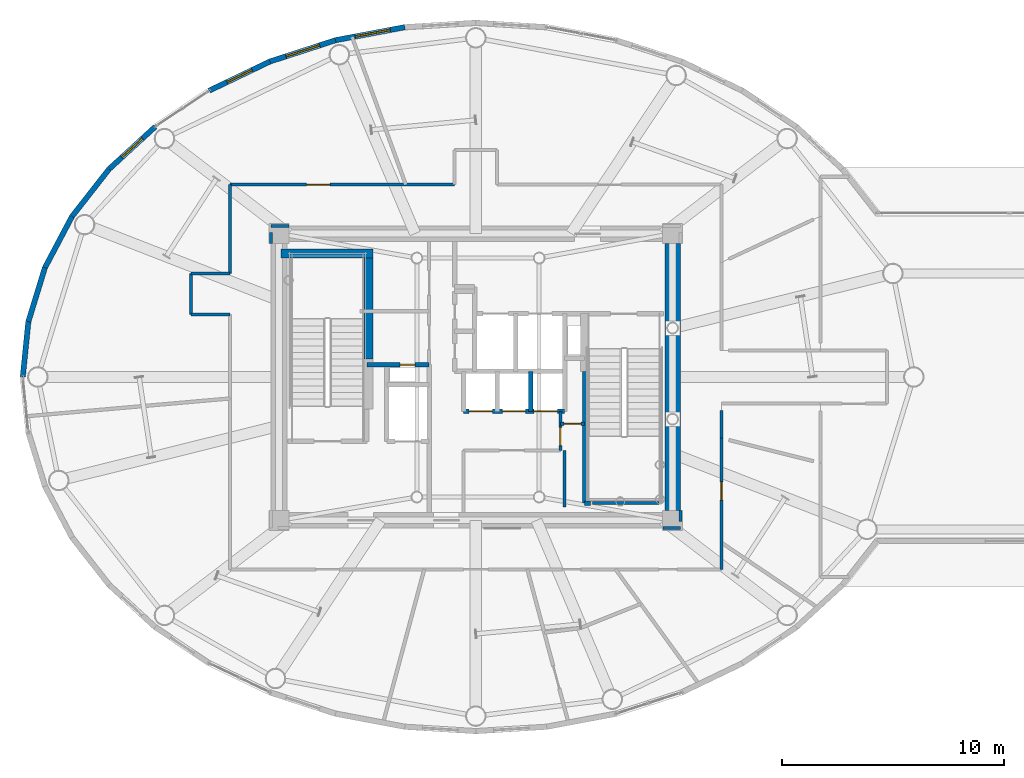
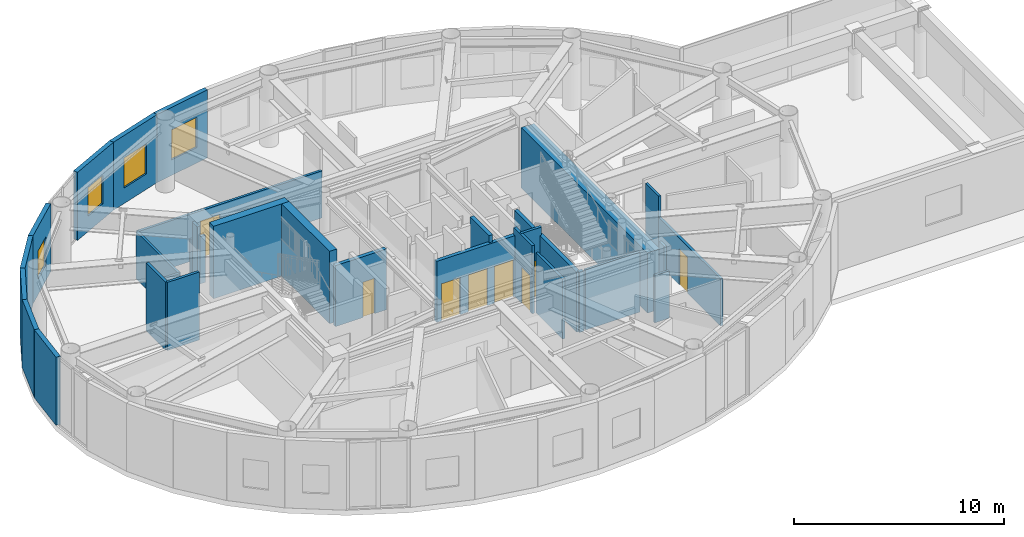
# One storey, part 17 of 26: 31 walls, 8 doors, 4 windows, 12 openings.
"""IFC4 building model written with IfcOpenShell, lengths in metres."""

from ifc_helpers import new_model, si_unit, direction, frame, frame_2d, origin, origin_2d, place, context, subcontext, project, spatial, rectangle, extrude, source, transform, mapped, material, layer, layer_set, type_object, element, fill, save


model = new_model("IFC4")

# Units and contexts
model_context = context("Model", 3, precision=1e-05, world=origin(), true_north=direction((0.0, 1.0)))
body_context = subcontext(model_context, "Body", "Model", "MODEL_VIEW")
ifc_project = project(units=[si_unit("LENGTHUNIT", "METRE"), si_unit("AREAUNIT", "SQUARE_METRE"), si_unit("VOLUMEUNIT", "CUBIC_METRE"), si_unit("PLANEANGLEUNIT", "RADIAN"), si_unit("MASSUNIT", "GRAM", prefix="KILO")], contexts=[model_context])

# Site, building, storey
site_placement = place(None, origin())
site = spatial("IfcSite", under=ifc_project, at=site_placement, CompositionType="ELEMENT")
building_placement = place(site_placement, origin())
building = spatial("IfcBuilding", under=site, at=building_placement, Name="Linh Dai School and Residence Tower", CompositionType="ELEMENT")
storey_placement = place(building_placement, frame((0.0, 0.0, 351.0)))
storey = spatial("IfcBuildingStorey", under=building, at=storey_placement, Name="L87", CompositionType="ELEMENT", Elevation=351.0)

# Wall, opening, window
ifc_material_1 = material(Name="Precast Concrete B45 (C35/45)", Category="concrete")
ifc_layer_1 = layer(ifc_material_1, 0.239990234375)
ifc_layer_set_1 = layer_set([ifc_layer_1], Name="Precast Concrete B45 (C35/45)")
wall_type_1 = type_object("IfcWallType", Name="EW-TC-240", PredefinedType="SOLIDWALL", material=ifc_layer_set_1)
wall_1_placement = place(storey_placement, frame((29.696044921875, 42.14794921875, 0.0), z_axis=(0.0, 0.0, 1.0), x_axis=(0.98276643264, 0.184851667226, 0.0)))
wall_1 = element("IfcWall", 1, at=wall_1_placement, inside=storey, type_object=wall_type_1, Name="L87 Terracotta Exterior Wall 12", PredefinedType="SOLIDWALL", context=body_context, shape_type="SweptSolid", body=[
    extrude(rectangle(XDim=3.167236328125, YDim=0.239990234375, at=frame_2d((1.58349609375, 0.0))), origin(), (0.0, 0.0, 1.0), 3.949951171875),
])
opening_1_placement = place(wall_1_placement, frame((0.904296875, 0.0, 0.89990234375)))
opening_1 = element("IfcOpeningElement", 2, at=opening_1_placement, cuts=wall_1, Name="Opening W2", PredefinedType="OPENING", context=body_context, shape_type="SweptSolid", body=[
    extrude(rectangle(XDim=1.60009765625, YDim=1.75, at=origin_2d()), frame((0.800048828125, 0.1298828125, 0.875), z_axis=(0.0, -1.0, 0.0), x_axis=(1.0, 0.0, 0.0)), (0.0, 0.0, 1.0), 0.260009765625),
])
ifc_material_2 = material(Name="Double Low-E Insulated Glazing", Category="glass")
window_type_1 = type_object("IfcWindowType", Name="WN-RES-1600x1750", PartitioningType="DOUBLE_PANEL_VERTICAL", PredefinedType="WINDOW", material=ifc_material_2)
shared_shape_1 = source(origin(), body_context, "Body", "SweptSolid", [
    extrude(rectangle(XDim=1.60009765625, YDim=1.75, at=origin_2d()), frame((0.800048828125, 0.030029296875, 0.875), z_axis=(0.0, -1.0, 0.0), x_axis=(1.0, 0.0, 0.0)), (0.0, 0.0, 1.0), 0.06005859375),
])
window_1_placement = place(opening_1_placement, origin())
window_1 = element("IfcWindow", 3, at=window_1_placement, inside=storey, type_object=window_type_1, Name="L87 Exterior Window 12.1", OverallHeight=1.75, OverallWidth=1.60009765625, PartitioningType="DOUBLE_PANEL_VERTICAL", PredefinedType="WINDOW", context=body_context, shape_type="MappedRepresentation", body=[
    mapped(shared_shape_1, transform((0.0, 0.0, 0.0), x_axis=(1.0, 0.0, 0.0), y_axis=(0.0, 1.0, 0.0), z_axis=(0.0, 0.0, 1.0), scale=1.0)),
])
fill(opening_1, window_1)

wall_2_placement = place(storey_placement, frame((26.739501953125, 41.18896484375, 0.0), z_axis=(0.0, 0.0, 1.0), x_axis=(0.951212850731, 0.308535431682, 0.0)))
wall_2 = element("IfcWall", 4, at=wall_2_placement, inside=storey, type_object=wall_type_1, Name="L87 Terracotta Exterior Wall 13", PredefinedType="SOLIDWALL", context=body_context, shape_type="SweptSolid", body=[
    extrude(rectangle(XDim=3.108154296875, YDim=0.239990234375, at=frame_2d((1.55419921875, 0.0))), origin(), (0.0, 0.0, 1.0), 3.949951171875),
])
opening_2_placement = place(wall_2_placement, frame((0.754150390625, 0.0, 0.89990234375)))
opening_2 = element("IfcOpeningElement", 5, at=opening_2_placement, cuts=wall_2, Name="Opening W2", PredefinedType="OPENING", context=body_context, shape_type="SweptSolid", body=[
    extrude(rectangle(XDim=1.60009765625, YDim=1.75, at=origin_2d()), frame((0.800048828125, 0.1298828125, 0.875), z_axis=(0.0, -1.0, 0.0), x_axis=(1.0, 0.0, 0.0)), (0.0, 0.0, 1.0), 0.260009765625),
])
window_2_placement = place(opening_2_placement, origin())
window_2 = element("IfcWindow", 6, at=window_2_placement, inside=storey, type_object=window_type_1, Name="L87 Exterior Window 13.1", OverallHeight=1.75, OverallWidth=1.60009765625, PartitioningType="DOUBLE_PANEL_VERTICAL", PredefinedType="WINDOW", context=body_context, shape_type="MappedRepresentation", body=[
    mapped(shared_shape_1, transform((0.0, 0.0, 0.0), x_axis=(1.0, 0.0, 0.0), y_axis=(0.0, 1.0, 0.0), z_axis=(0.0, 0.0, 1.0), scale=1.0)),
])
fill(opening_2, window_2)

wall_3_placement = place(storey_placement, frame((24.01220703125, 39.880126953125, 0.0), z_axis=(0.0, 0.0, 1.0), x_axis=(0.901557057889, 0.432660226241, 0.0)))
wall_3 = element("IfcWall", 7, at=wall_3_placement, inside=storey, type_object=wall_type_1, Name="L87 Terracotta Exterior Wall 14", PredefinedType="SOLIDWALL", context=body_context, shape_type="SweptSolid", body=[
    extrude(rectangle(XDim=3.025146484375, YDim=0.239990234375, at=frame_2d((1.5126953125, 0.0))), origin(), (0.0, 0.0, 1.0), 3.949951171875),
])
opening_3_placement = place(wall_3_placement, frame((0.8876953125, 0.0, 0.89990234375)))
opening_3 = element("IfcOpeningElement", 8, at=opening_3_placement, cuts=wall_3, Name="Opening W3", PredefinedType="OPENING", context=body_context, shape_type="SweptSolid", body=[
    extrude(rectangle(XDim=1.25, YDim=1.64990234375, at=origin_2d()), frame((0.625, 0.1298828125, 0.824951171875), z_axis=(0.0, -1.0, 0.0), x_axis=(1.0, 0.0, 0.0)), (0.0, 0.0, 1.0), 0.260009765625),
])
window_type_2 = type_object("IfcWindowType", Name="WN-RES-1250x1650", PartitioningType="SINGLE_PANEL", PredefinedType="WINDOW", material=ifc_material_2)
shared_shape_2 = source(origin(), body_context, "Body", "SweptSolid", [
    extrude(rectangle(XDim=1.25, YDim=1.64990234375, at=origin_2d()), frame((0.625, 0.030029296875, 0.824951171875), z_axis=(0.0, -1.0, 0.0), x_axis=(1.0, 0.0, 0.0)), (0.0, 0.0, 1.0), 0.06005859375),
])
window_3_placement = place(opening_3_placement, origin())
window_3 = element("IfcWindow", 9, at=window_3_placement, inside=storey, type_object=window_type_2, Name="L87 Exterior Window 14.1", OverallHeight=1.64990234375, OverallWidth=1.25, PartitioningType="SINGLE_PANEL", PredefinedType="WINDOW", context=body_context, shape_type="MappedRepresentation", body=[
    mapped(shared_shape_2, transform((0.0, 0.0, 0.0), x_axis=(1.0, 0.0, 0.0), y_axis=(0.0, 1.0, 0.0), z_axis=(0.0, 0.0, 1.0), scale=1.0)),
])
fill(opening_3, window_3)

wall_4_placement = place(storey_placement, frame((19.5068359375, 36.351806640625, 0.0), z_axis=(0.0, 0.0, 1.0), x_axis=(0.737020907932, 0.675869944051, 0.0)))
wall_4 = element("IfcWall", 10, at=wall_4_placement, inside=storey, type_object=wall_type_1, Name="L87 Terracotta Exterior Wall 16", PredefinedType="SOLIDWALL", context=body_context, shape_type="SweptSolid", body=[
    extrude(rectangle(XDim=2.814697265625, YDim=0.239990234375, at=frame_2d((1.4072265625, 0.0))), origin(), (0.0, 0.0, 1.0), 3.949951171875),
])
opening_4_placement = place(wall_4_placement, frame((0.78271484375, 0.0, 0.89990234375)))
opening_4 = element("IfcOpeningElement", 11, at=opening_4_placement, cuts=wall_4, Name="Opening W3", PredefinedType="OPENING", context=body_context, shape_type="SweptSolid", body=[
    extrude(rectangle(XDim=1.25, YDim=1.64990234375, at=origin_2d()), frame((0.625, 0.1298828125, 0.824951171875), z_axis=(0.0, -1.0, 0.0), x_axis=(1.0, 0.0, 0.0)), (0.0, 0.0, 1.0), 0.260009765625),
])
window_4_placement = place(opening_4_placement, origin())
window_4 = element("IfcWindow", 12, at=window_4_placement, inside=storey, type_object=window_type_2, Name="L87 Exterior Window 16.1", OverallHeight=1.64990234375, OverallWidth=1.25, PartitioningType="SINGLE_PANEL", PredefinedType="WINDOW", context=body_context, shape_type="MappedRepresentation", body=[
    mapped(shared_shape_2, transform((0.0, 0.0, 0.0), x_axis=(1.0, 0.0, 0.0), y_axis=(0.0, 1.0, 0.0), z_axis=(0.0, 0.0, 1.0), scale=1.0)),
])
fill(opening_4, window_4)

# Walls
wall_5_placement = place(storey_placement, frame((17.839111328125, 34.220703125, 0.0), z_axis=(0.0, 0.0, 1.0), x_axis=(0.616286367698, 0.78752213492, 0.0)))
element("IfcWall", 13, at=wall_5_placement, inside=storey, type_object=wall_type_1, Name="L87 Terracotta Exterior Wall 17", PredefinedType="SOLIDWALL", context=body_context, shape_type="SweptSolid", body=[
    extrude(rectangle(XDim=2.7060546875, YDim=0.239990234375, at=frame_2d((1.35302734375, 0.0))), origin(), (0.0, 0.0, 1.0), 3.949951171875),
])
wall_6_placement = place(storey_placement, frame((16.618896484375, 31.913330078125, 0.0), z_axis=(0.0, 0.0, 1.0), x_axis=(0.467487999989, 0.883999417345, 0.0)))
element("IfcWall", 14, at=wall_6_placement, inside=storey, type_object=wall_type_1, Name="L87 Terracotta Exterior Wall 18", PredefinedType="SOLIDWALL", context=body_context, shape_type="SweptSolid", body=[
    extrude(rectangle(XDim=2.610107421875, YDim=0.239990234375, at=frame_2d((1.30517578125, 0.0))), origin(), (0.0, 0.0, 1.0), 3.949951171875),
])
wall_7_placement = place(storey_placement, frame((15.875, 29.48681640625, 0.0), z_axis=(0.0, 0.0, 1.0), x_axis=(0.293105547213, 0.956080089842, 0.0)))
element("IfcWall", 15, at=wall_7_placement, inside=storey, type_object=wall_type_1, Name="L87 Terracotta Exterior Wall 19", PredefinedType="SOLIDWALL", context=body_context, shape_type="SweptSolid", body=[
    extrude(rectangle(XDim=2.5380859375, YDim=0.239990234375, at=frame_2d((1.26904296875, 0.0))), origin(), (0.0, 0.0, 1.0), 3.949951171875),
])
wall_8_placement = place(storey_placement, frame((15.625, 27.0, 0.0), z_axis=(0.0, 0.0, 1.0), x_axis=(0.100025963401, 0.994984827344, 0.0)))
element("IfcWall", 16, at=wall_8_placement, inside=storey, type_object=wall_type_1, Name="L87 Terracotta Exterior Wall 20", PredefinedType="SOLIDWALL", context=body_context, shape_type="SweptSolid", body=[
    extrude(rectangle(XDim=2.499267578125, YDim=0.239990234375, at=frame_2d((1.24951171875, 0.0))), origin(), (0.0, 0.0, 1.0), 3.949951171875),
])
ifc_material_3 = material(Name="Autoclaved Aerated Concrete Blockwork", Category="masonry")
ifc_layer_2 = layer(ifc_material_3, 0.135009765625)
ifc_layer_set_2 = layer_set([ifc_layer_2], Name="Autoclaved Aerated Concrete Blockwork")
wall_type_2 = type_object("IfcWallType", Name="IW-CORR-135-EI90", PredefinedType="PARTITIONING", material=ifc_layer_set_2)
wall_9_placement = place(storey_placement, frame((23.199951171875, 29.800048828125, 0.0), z_axis=(0.0, 0.0, 1.0), x_axis=(0.0, 1.0, 0.0)))
element("IfcWall", 17, at=wall_9_placement, inside=storey, type_object=wall_type_2, Name="L87 Interior Partition Wall 002", PredefinedType="PARTITIONING", context=body_context, shape_type="SweptSolid", body=[
    extrude(rectangle(XDim=1.849853515625, YDim=0.135009765625, at=frame_2d((0.9248046875, 0.0))), origin(), (0.0, 0.0, 1.0), 3.949951171875),
])
wall_10_placement = place(storey_placement, frame((23.199951171875, 29.800048828125, 0.0), z_axis=(0.0, 0.0, 1.0), x_axis=(1.0, 0.0, 0.0)))
element("IfcWall", 18, at=wall_10_placement, inside=storey, type_object=wall_type_2, Name="L87 Interior Partition Wall 003", PredefinedType="PARTITIONING", context=body_context, shape_type="SweptSolid", body=[
    extrude(rectangle(XDim=1.75, YDim=0.135009765625, at=frame_2d((0.875, 0.0))), origin(), (0.0, 0.0, 1.0), 3.949951171875),
])
wall_11_placement = place(storey_placement, frame((23.199951171875, 31.64990234375, 0.0), z_axis=(0.0, 0.0, 1.0), x_axis=(1.0, 0.0, 0.0)))
element("IfcWall", 19, at=wall_11_placement, inside=storey, type_object=wall_type_2, Name="L87 Interior Partition Wall 004", PredefinedType="PARTITIONING", context=body_context, shape_type="SweptSolid", body=[
    extrude(rectangle(XDim=1.75, YDim=0.135009765625, at=frame_2d((0.875, 0.0))), origin(), (0.0, 0.0, 1.0), 2.735107421875),
])
wall_12_placement = place(storey_placement, frame((24.949951171875, 31.64990234375, 0.0), z_axis=(0.0, 0.0, 1.0), x_axis=(0.0, 1.0, 0.0)))
element("IfcWall", 20, at=wall_12_placement, inside=storey, type_object=wall_type_2, Name="L87 Interior Partition Wall 007", PredefinedType="PARTITIONING", context=body_context, shape_type="SweptSolid", body=[
    extrude(rectangle(XDim=4.0, YDim=0.135009765625, at=frame_2d((2.0, 0.0))), origin(), (0.0, 0.0, 1.0), 2.735107421875),
])

# Wall, opening, door
wall_13_placement = place(storey_placement, frame((24.949951171875, 35.64990234375, 0.0), z_axis=(0.0, 0.0, 1.0), x_axis=(1.0, 0.0, 0.0)))
wall_13 = element("IfcWall", 21, at=wall_13_placement, inside=storey, type_object=wall_type_2, Name="L87 Interior Partition Wall 008", PredefinedType="PARTITIONING", context=body_context, shape_type="SweptSolid", body=[
    extrude(rectangle(XDim=10.10009765625, YDim=0.135009765625, at=frame_2d((5.050048828125, 0.0))), origin(), (0.0, 0.0, 1.0), 2.735107421875),
])
opening_5_placement = place(wall_13_placement, frame((3.44580078125, 0.0, 0.0)))
opening_5 = element("IfcOpeningElement", 22, at=opening_5_placement, cuts=wall_13, Name="Opening D04", PredefinedType="OPENING", context=body_context, shape_type="SweptSolid", body=[
    extrude(rectangle(XDim=1.050048828125, YDim=2.14990234375, at=origin_2d()), frame((0.52490234375, 0.07763671875, 1.074951171875), z_axis=(0.0, -1.0, 0.0), x_axis=(1.0, 0.0, 0.0)), (0.0, 0.0, 1.0), 0.155029296875),
])
ifc_material_4 = material(Name="Acoustic Vision-Panel Timber Classroom Door", Category="wood")
door_type_1 = type_object("IfcDoorType", Name="DR-SCH-1050x2150-FD60S", OperationType="NOTDEFINED", PredefinedType="DOOR", material=ifc_material_4)
shared_shape_3 = source(origin(), body_context, "Body", "SweptSolid", [
    extrude(rectangle(XDim=1.050048828125, YDim=2.14990234375, at=origin_2d()), frame((0.52490234375, 0.02490234375, 1.074951171875), z_axis=(0.0, -1.0, 0.0), x_axis=(1.0, 0.0, 0.0)), (0.0, 0.0, 1.0), 0.050048828125),
])
door_1_placement = place(opening_5_placement, origin())
door_1 = element("IfcDoor", 23, at=door_1_placement, inside=storey, type_object=door_type_1, Name="L87 Sky Seminar and Civic Forum Room Door", OperationType="SINGLE_SWING_LEFT", OverallHeight=2.14990234375, OverallWidth=1.050048828125, PredefinedType="DOOR", context=body_context, shape_type="MappedRepresentation", body=[
    mapped(shared_shape_3, transform((0.0, 0.0, 0.0), x_axis=(1.0, 0.0, 0.0), y_axis=(0.0, 1.0, 0.0), z_axis=(0.0, 0.0, 1.0), scale=1.0)),
])
fill(opening_5, door_1)

wall_14_placement = place(storey_placement, frame((39.800048828125, 23.699951171875, 0.0), z_axis=(0.0, 0.0, 1.0), x_axis=(0.0, 1.0, 0.0)))
wall_14 = element("IfcWall", 24, at=wall_14_placement, inside=storey, type_object=wall_type_2, Name="L87 Interior Partition Wall 041", PredefinedType="PARTITIONING", context=body_context, shape_type="SweptSolid", body=[
    extrude(rectangle(XDim=1.75, YDim=0.135009765625, at=frame_2d((0.875, 0.0))), origin(), (0.0, 0.0, 1.0), 3.949951171875),
])
opening_6_placement = place(wall_14_placement, frame((0.2099609375, 0.0, 0.0)))
opening_6 = element("IfcOpeningElement", 25, at=opening_6_placement, cuts=wall_14, Name="Opening D06", PredefinedType="OPENING", context=body_context, shape_type="SweptSolid", body=[
    extrude(rectangle(XDim=0.820068359375, YDim=2.10009765625, at=origin_2d()), frame((0.41015625, 0.07763671875, 1.050048828125), z_axis=(0.0, -1.0, 0.0), x_axis=(1.0, 0.0, 0.0)), (0.0, 0.0, 1.0), 0.155029296875),
])
ifc_material_5 = material(Name="Moisture-Resistant Timber Bathroom Door", Category="wood")
door_type_2 = type_object("IfcDoorType", Name="DR-WET-820x2100", OperationType="NOTDEFINED", PredefinedType="DOOR", material=ifc_material_5)
shared_shape_4 = source(origin(), body_context, "Body", "SweptSolid", [
    extrude(rectangle(XDim=0.820068359375, YDim=2.10009765625, at=origin_2d()), frame((0.41015625, 0.02490234375, 1.050048828125), z_axis=(0.0, -1.0, 0.0), x_axis=(1.0, 0.0, 0.0)), (0.0, 0.0, 1.0), 0.050048828125),
])
door_2_placement = place(opening_6_placement, origin())
door_2 = element("IfcDoor", 26, at=door_2_placement, inside=storey, type_object=door_type_2, Name="L87 SE Metering Closet Door", OperationType="SINGLE_SWING_LEFT", OverallHeight=2.10009765625, OverallWidth=0.820068359375, PredefinedType="DOOR", context=body_context, shape_type="MappedRepresentation", body=[
    mapped(shared_shape_4, transform((0.0, 0.0, 0.0), x_axis=(1.0, 0.0, 0.0), y_axis=(0.0, 1.0, 0.0), z_axis=(0.0, 0.0, 1.0), scale=1.0)),
])
fill(opening_6, door_2)

wall_15_placement = place(storey_placement, frame((47.050048828125, 18.35009765625, 0.0), z_axis=(0.0, 0.0, 1.0), x_axis=(0.0, 1.0, 0.0)))
wall_15 = element("IfcWall", 27, at=wall_15_placement, inside=storey, type_object=wall_type_2, Name="L87 Interior Partition Wall 049", PredefinedType="PARTITIONING", context=body_context, shape_type="SweptSolid", body=[
    extrude(rectangle(XDim=5.894775390625, YDim=0.135009765625, at=frame_2d((2.947265625, 0.0))), origin(), (0.0, 0.0, 1.0), 2.735107421875),
])
opening_7_placement = place(wall_15_placement, frame((3.11572265625, 0.0, 0.0)))
opening_7 = element("IfcOpeningElement", 28, at=opening_7_placement, cuts=wall_15, Name="Opening D06", PredefinedType="OPENING", context=body_context, shape_type="SweptSolid", body=[
    extrude(rectangle(XDim=0.820068359375, YDim=2.10009765625, at=origin_2d()), frame((0.41015625, 0.07763671875, 1.050048828125), z_axis=(0.0, -1.0, 0.0), x_axis=(1.0, 0.0, 0.0)), (0.0, 0.0, 1.0), 0.155029296875),
])
door_3_placement = place(opening_7_placement, origin())
door_3 = element("IfcDoor", 29, at=door_3_placement, inside=storey, type_object=door_type_2, Name="L87 Observatory Accessible WC Door", OperationType="SINGLE_SWING_LEFT", OverallHeight=2.10009765625, OverallWidth=0.820068359375, PredefinedType="DOOR", context=body_context, shape_type="MappedRepresentation", body=[
    mapped(shared_shape_4, transform((0.0, 0.0, 0.0), x_axis=(1.0, 0.0, 0.0), y_axis=(0.0, 1.0, 0.0), z_axis=(0.0, 0.0, 1.0), scale=1.0)),
])
fill(opening_7, door_3)

# Walls
wall_16_placement = place(storey_placement, frame((44.239990234375, 21.330078125, 0.0), z_axis=(0.0, 0.0, 1.0), x_axis=(-1.0, 0.0, 0.0)))
element("IfcWall", 30, at=wall_16_placement, inside=storey, type_object=wall_type_2, Name="L87 Interior Partition Wall 059", PredefinedType="PARTITIONING", context=body_context, shape_type="SweptSolid", body=[
    extrude(rectangle(XDim=2.97998046875, YDim=0.135009765625, at=frame_2d((1.489990234375, 0.0))), origin(), (0.0, 0.0, 1.0), 3.485107421875),
])
wall_17_placement = place(storey_placement, frame((40.0, 23.699951171875, 0.0), z_axis=(0.0, 0.0, 1.0), x_axis=(0.0, -1.0, 0.0)))
element("IfcWall", 31, at=wall_17_placement, inside=storey, type_object=wall_type_2, Name="L87 Interior Partition Wall 060", PredefinedType="PARTITIONING", context=body_context, shape_type="SweptSolid", body=[
    extrude(rectangle(XDim=2.5400390625, YDim=0.135009765625, at=frame_2d((1.27001953125, 0.0))), origin(), (0.0, 0.0, 1.0), 3.485107421875),
])
wall_18_placement = place(storey_placement, frame((47.050048828125, 25.492431640625, 0.0), z_axis=(0.0, 0.0, 1.0), x_axis=(0.0, -1.0, 0.0)))
element("IfcWall", 32, at=wall_18_placement, inside=storey, type_object=wall_type_2, Name="L87 Interior Partition Wall 064", PredefinedType="PARTITIONING", context=body_context, shape_type="SweptSolid", body=[
    extrude(rectangle(XDim=1.237548828125, YDim=0.135009765625, at=frame_2d((0.61865234375, 0.0))), origin(), (0.0, 0.0, 1.0), 3.949951171875),
])
wall_19_placement = place(storey_placement, frame((27.590087890625, 33.800048828125, 0.0), z_axis=(0.0, 0.0, 1.0), x_axis=(-1.0, 0.0, 0.0)))
element("IfcWall", 33, at=wall_19_placement, inside=storey, type_object=wall_type_2, Name="L87 Interior Partition Wall 066", PredefinedType="PARTITIONING", context=body_context, shape_type="SweptSolid", body=[
    extrude(rectangle(XDim=0.7900390625, YDim=0.135009765625, at=frame_2d((0.39501953125, 0.0))), origin(), (0.0, 0.0, 1.0), 2.735107421875),
])
wall_20_placement = place(storey_placement, frame((26.800048828125, 33.492431640625, 0.0), z_axis=(0.0, 0.0, 1.0), x_axis=(0.0, -1.0, 0.0)))
element("IfcWall", 34, at=wall_20_placement, inside=storey, type_object=wall_type_2, Name="L87 Interior Partition Wall 067", PredefinedType="PARTITIONING", context=body_context, shape_type="SweptSolid", body=[
    extrude(rectangle(XDim=0.482421875, YDim=0.135009765625, at=frame_2d((0.2412109375, 0.0))), origin(), (0.0, 0.0, 1.0), 3.949951171875),
])
wall_21_placement = place(storey_placement, frame((44.409912109375, 20.199951171875, 0.0), z_axis=(0.0, 0.0, 1.0), x_axis=(1.0, 0.0, 0.0)))
element("IfcWall", 35, at=wall_21_placement, inside=storey, type_object=wall_type_2, Name="L87 Interior Partition Wall 070", PredefinedType="PARTITIONING", context=body_context, shape_type="SweptSolid", body=[
    extrude(rectangle(XDim=0.7900390625, YDim=0.135009765625, at=frame_2d((0.39501953125, 0.0))), origin(), (0.0, 0.0, 1.0), 2.735107421875),
])
wall_22_placement = place(storey_placement, frame((45.199951171875, 20.507568359375, 0.0), z_axis=(0.0, 0.0, 1.0), x_axis=(0.0, 1.0, 0.0)))
element("IfcWall", 36, at=wall_22_placement, inside=storey, type_object=wall_type_2, Name="L87 Interior Partition Wall 071", PredefinedType="PARTITIONING", context=body_context, shape_type="SweptSolid", body=[
    extrude(rectangle(XDim=0.482421875, YDim=0.135009765625, at=frame_2d((0.2412109375, 0.0))), origin(), (0.0, 0.0, 1.0), 3.949951171875),
])

# Wall, opening, door
ifc_layer_3 = layer(ifc_material_3, 0.14990234375)
ifc_layer_set_3 = layer_set([ifc_layer_3], Name="Autoclaved Aerated Concrete Blockwork")
wall_type_3 = type_object("IfcWallType", Name="IW-SCH-150-EI60", PredefinedType="PARTITIONING", material=ifc_layer_set_3)
wall_23_placement = place(storey_placement, frame((39.800048828125, 24.89990234375, 0.0), z_axis=(0.0, 0.0, 1.0), x_axis=(1.0, 0.0, 0.0)))
wall_23 = element("IfcWall", 37, at=wall_23_placement, inside=storey, type_object=wall_type_3, Name="L87 Interior Partition Wall 042", PredefinedType="PARTITIONING", context=body_context, shape_type="SweptSolid", body=[
    extrude(rectangle(XDim=1.099853515625, YDim=0.14990234375, at=frame_2d((0.5498046875, 0.0))), origin(), (0.0, 0.0, 1.0), 3.949951171875),
])
opening_8_placement = place(wall_23_placement, frame((0.169921875, 0.0, 0.0)))
opening_8 = element("IfcOpeningElement", 38, at=opening_8_placement, cuts=wall_23, Name="Opening D08", PredefinedType="OPENING", context=body_context, shape_type="SweptSolid", body=[
    extrude(rectangle(XDim=0.760009765625, YDim=2.10009765625, at=origin_2d()), frame((0.3798828125, 0.0849609375, 1.050048828125), z_axis=(0.0, -1.0, 0.0), x_axis=(1.0, 0.0, 0.0)), (0.0, 0.0, 1.0), 0.169921875),
])
ifc_material_6 = material(Name="Engineered Timber Closet and Study Door", Category="wood")
door_type_3 = type_object("IfcDoorType", Name="DR-CMP-760x2100", OperationType="NOTDEFINED", PredefinedType="DOOR", material=ifc_material_6)
shared_shape_5 = source(origin(), body_context, "Body", "SweptSolid", [
    extrude(rectangle(XDim=0.760009765625, YDim=2.10009765625, at=origin_2d()), frame((0.3798828125, 0.02490234375, 1.050048828125), z_axis=(0.0, -1.0, 0.0), x_axis=(1.0, 0.0, 0.0)), (0.0, 0.0, 1.0), 0.050048828125),
])
door_4_placement = place(opening_8_placement, origin())
door_4 = element("IfcDoor", 39, at=door_4_placement, inside=storey, type_object=door_type_3, Name="L87 NE Cleaners Store Door", OperationType="SINGLE_SWING_RIGHT", OverallHeight=2.10009765625, OverallWidth=0.760009765625, PredefinedType="DOOR", context=body_context, shape_type="MappedRepresentation", body=[
    mapped(shared_shape_5, transform((0.0, 0.0, 0.0), x_axis=(1.0, 0.0, 0.0), y_axis=(0.0, 1.0, 0.0), z_axis=(0.0, 0.0, 1.0), scale=1.0)),
])
fill(opening_8, door_4)

ifc_material_7 = material(Name="Concrete B45 (C35/45)", Category="concrete")
ifc_layer_4 = layer(ifc_material_7, 0.199951171875)
ifc_layer_set_4 = layer_set([ifc_layer_4], Name="Concrete B45 (C35/45)")
wall_type_4 = type_object("IfcWallType", Name="IW-SHAFT-200-EI120", PredefinedType="PARTITIONING", material=ifc_layer_set_4)
wall_24_placement = place(storey_placement, frame((31.10009765625, 27.550048828125, 0.0), z_axis=(0.0, 0.0, 1.0), x_axis=(1.0, 0.0, 0.0)))
wall_24 = element("IfcWall", 40, at=wall_24_placement, inside=storey, type_object=wall_type_4, Name="L87 Interior Partition Wall 013", PredefinedType="PARTITIONING", context=body_context, shape_type="SweptSolid", body=[
    extrude(rectangle(XDim=2.7998046875, YDim=0.199951171875, at=frame_2d((1.39990234375, 0.0))), origin(), (0.0, 0.0, 1.0), 3.534912109375),
])
opening_9_placement = place(wall_24_placement, frame((1.5, 0.0, 0.0)))
opening_9 = element("IfcOpeningElement", 41, at=opening_9_placement, cuts=wall_24, Name="Opening AD1", PredefinedType="OPENING", context=body_context, shape_type="SweptSolid", body=[
    extrude(rectangle(XDim=0.659912109375, YDim=2.050048828125, at=origin_2d()), frame((0.330078125, 0.10986328125, 1.02490234375), z_axis=(0.0, -1.0, 0.0), x_axis=(1.0, 0.0, 0.0)), (0.0, 0.0, 1.0), 0.219970703125),
])
ifc_material_8 = material(Name="Fire-Rated Steel Riser Access Door", Category="steel")
door_type_4 = type_object("IfcDoorType", Name="DR-ACC-660x2050-FD90S", OperationType="NOTDEFINED", PredefinedType="USERDEFINED", material=ifc_material_8)
shared_shape_6 = source(origin(), body_context, "Body", "SweptSolid", [
    extrude(rectangle(XDim=0.659912109375, YDim=2.050048828125, at=origin_2d()), frame((0.330078125, 0.02490234375, 1.02490234375), z_axis=(0.0, -1.0, 0.0), x_axis=(1.0, 0.0, 0.0)), (0.0, 0.0, 1.0), 0.050048828125),
])
door_5_placement = place(opening_9_placement, origin())
door_5 = element("IfcDoor", 42, at=door_5_placement, inside=storey, type_object=door_type_4, Name="L87 Main Electrical Riser Access Door", ObjectType="ACCESS DOOR", OperationType="SINGLE_SWING_RIGHT", OverallHeight=2.050048828125, OverallWidth=0.659912109375, PredefinedType="USERDEFINED", context=body_context, shape_type="MappedRepresentation", body=[
    mapped(shared_shape_6, transform((0.0, 0.0, 0.0), x_axis=(1.0, 0.0, 0.0), y_axis=(0.0, 1.0, 0.0), z_axis=(0.0, 0.0, 1.0), scale=1.0)),
])
fill(opening_9, door_5)

# Wall, openings, doors
wall_25_placement = place(storey_placement, frame((35.449951171875, 25.449951171875, 0.0), z_axis=(0.0, 0.0, 1.0), x_axis=(1.0, 0.0, 0.0)))
wall_25 = element("IfcWall", 43, at=wall_25_placement, inside=storey, type_object=wall_type_4, Name="L87 Interior Partition Wall 031", PredefinedType="PARTITIONING", context=body_context, shape_type="SweptSolid", body=[
    extrude(rectangle(XDim=4.550048828125, YDim=0.199951171875, at=frame_2d((2.27490234375, 0.0))), origin(), (0.0, 0.0, 1.0), 3.534912109375),
])
opening_10_placement = place(wall_25_placement, frame((0.25, 0.0, 0.0)))
opening_10 = element("IfcOpeningElement", 44, at=opening_10_placement, cuts=wall_25, Name="Opening LD-PL7", PredefinedType="OPENING", context=body_context, shape_type="SweptSolid", body=[
    extrude(rectangle(XDim=1.050048828125, YDim=2.14990234375, at=origin_2d()), frame((0.52490234375, 0.10986328125, 1.074951171875), z_axis=(0.0, -1.0, 0.0), x_axis=(1.0, 0.0, 0.0)), (0.0, 0.0, 1.0), 0.219970703125),
])
opening_11_placement = place(wall_25_placement, frame((1.7451171875, 0.0, 0.0)))
opening_11 = element("IfcOpeningElement", 45, at=opening_11_placement, cuts=wall_25, Name="Opening LD-PL8", PredefinedType="OPENING", context=body_context, shape_type="SweptSolid", body=[
    extrude(rectangle(XDim=1.050048828125, YDim=2.14990234375, at=origin_2d()), frame((0.52490234375, 0.10986328125, 1.074951171875), z_axis=(0.0, -1.0, 0.0), x_axis=(1.0, 0.0, 0.0)), (0.0, 0.0, 1.0), 0.219970703125),
])
opening_12_placement = place(wall_25_placement, frame((3.1650390625, 0.0, 0.0)))
opening_12 = element("IfcOpeningElement", 46, at=opening_12_placement, cuts=wall_25, Name="Opening LD-PL9", PredefinedType="OPENING", context=body_context, shape_type="SweptSolid", body=[
    extrude(rectangle(XDim=1.050048828125, YDim=2.14990234375, at=origin_2d()), frame((0.52490234375, 0.10986328125, 1.074951171875), z_axis=(0.0, -1.0, 0.0), x_axis=(1.0, 0.0, 0.0)), (0.0, 0.0, 1.0), 0.219970703125),
])
ifc_material_9 = material(Name="Brushed Stainless Steel Lift Landing Door", Category="steel")
door_type_5 = type_object("IfcDoorType", Name="DR-LD-PASS-1050x2150", OperationType="DOUBLE_DOOR_SLIDING", PredefinedType="USERDEFINED", material=ifc_material_9)
shared_shape_7 = source(origin(), body_context, "Body", "SweptSolid", [
    extrude(rectangle(XDim=1.050048828125, YDim=2.14990234375, at=origin_2d()), frame((0.52490234375, 0.02490234375, 1.074951171875), z_axis=(0.0, -1.0, 0.0), x_axis=(1.0, 0.0, 0.0)), (0.0, 0.0, 1.0), 0.050048828125),
])
door_6_placement = place(opening_10_placement, origin())
door_6 = element("IfcDoor", 47, at=door_6_placement, inside=storey, type_object=door_type_5, Name="L87 Lift PL7 Sliding Landing Door", ObjectType="LANDING DOOR", OperationType="DOUBLE_DOOR_SLIDING", OverallHeight=2.14990234375, OverallWidth=1.050048828125, PredefinedType="USERDEFINED", context=body_context, shape_type="MappedRepresentation", body=[
    mapped(shared_shape_7, transform((0.0, 0.0, 0.0), x_axis=(1.0, 0.0, 0.0), y_axis=(0.0, 1.0, 0.0), z_axis=(0.0, 0.0, 1.0), scale=1.0)),
])
fill(opening_10, door_6)
door_7_placement = place(opening_11_placement, origin())
door_7 = element("IfcDoor", 48, at=door_7_placement, inside=storey, type_object=door_type_5, Name="L87 Lift PL8 Sliding Landing Door", ObjectType="LANDING DOOR", OperationType="DOUBLE_DOOR_SLIDING", OverallHeight=2.14990234375, OverallWidth=1.050048828125, PredefinedType="USERDEFINED", context=body_context, shape_type="MappedRepresentation", body=[
    mapped(shared_shape_7, transform((0.0, 0.0, 0.0), x_axis=(1.0, 0.0, 0.0), y_axis=(0.0, 1.0, 0.0), z_axis=(0.0, 0.0, 1.0), scale=1.0)),
])
fill(opening_11, door_7)
door_8_placement = place(opening_12_placement, origin())
door_8 = element("IfcDoor", 49, at=door_8_placement, inside=storey, type_object=door_type_5, Name="L87 Lift PL9 Sliding Landing Door", ObjectType="LANDING DOOR", OperationType="DOUBLE_DOOR_SLIDING", OverallHeight=2.14990234375, OverallWidth=1.050048828125, PredefinedType="USERDEFINED", context=body_context, shape_type="MappedRepresentation", body=[
    mapped(shared_shape_7, transform((0.0, 0.0, 0.0), x_axis=(1.0, 0.0, 0.0), y_axis=(0.0, 1.0, 0.0), z_axis=(0.0, 0.0, 1.0), scale=1.0)),
])
fill(opening_12, door_8)

# Walls
wall_26_placement = place(storey_placement, frame((38.47998046875, 25.449951171875, 0.0), z_axis=(0.0, 0.0, 1.0), x_axis=(0.0, 1.0, 0.0)))
element("IfcWall", 50, at=wall_26_placement, inside=storey, type_object=wall_type_4, Name="L87 Interior Partition Wall 039", PredefinedType="PARTITIONING", context=body_context, shape_type="SweptSolid", body=[
    extrude(rectangle(XDim=1.800048828125, YDim=0.199951171875, at=frame_2d((0.89990234375, 0.0))), origin(), (0.0, 0.0, 1.0), 3.949951171875),
])
wall_27_placement = place(storey_placement, frame((40.89990234375, 21.330078125, 0.0), z_axis=(0.0, 0.0, 1.0), x_axis=(0.0, 1.0, 0.0)))
element("IfcWall", 51, at=wall_27_placement, inside=storey, type_object=wall_type_4, Name="L87 Interior Partition Wall 046", PredefinedType="PARTITIONING", context=body_context, shape_type="SweptSolid", body=[
    extrude(rectangle(XDim=5.909912109375, YDim=0.199951171875, at=frame_2d((2.955078125, 0.0))), origin(), (0.0, 0.0, 1.0), 3.485107421875),
])
wall_28_placement = place(storey_placement, frame((40.89990234375, 21.330078125, 0.0), z_axis=(0.0, 0.0, 1.0), x_axis=(1.0, 0.0, 0.0)))
element("IfcWall", 52, at=wall_28_placement, inside=storey, type_object=wall_type_4, Name="L87 Interior Partition Wall 047", PredefinedType="PARTITIONING", context=body_context, shape_type="SweptSolid", body=[
    extrude(rectangle(XDim=0.25, YDim=0.199951171875, at=frame_2d((0.125, 0.0))), origin(), (0.0, 0.0, 1.0), 3.485107421875),
])
ifc_layer_5 = layer(ifc_material_7, 0.39990234375)
ifc_layer_set_5 = layer_set([ifc_layer_5], Name="Concrete B45 (C35/45)")
wall_type_5 = type_object("IfcWallType", Name="WL-CORE400", PredefinedType="SHEAR", material=ifc_layer_set_5)
wall_29_placement = place(storey_placement, frame((31.179931640625, 27.800048828125, 0.0), z_axis=(0.0, 0.0, 1.0), x_axis=(0.0, 1.0, 0.0)))
element("IfcWall", 53, at=wall_29_placement, inside=storey, type_object=wall_type_5, Name="L87 Core Stair ST1 Bearing Wall E", PredefinedType="SHEAR", context=body_context, shape_type="SweptSolid", body=[
    extrude(rectangle(XDim=4.75, YDim=0.39990234375, at=frame_2d((2.375, 0.0))), origin(), (0.0, 0.0, 1.0), 4.199951171875),
])
wall_30_placement = place(storey_placement, frame((27.25, 32.550048828125, 0.0), z_axis=(0.0, 0.0, 1.0), x_axis=(1.0, 0.0, 0.0)))
element("IfcWall", 54, at=wall_30_placement, inside=storey, type_object=wall_type_5, Name="L87 Core Stair ST1 Bearing Wall N", PredefinedType="SHEAR", context=body_context, shape_type="SweptSolid", body=[
    extrude(rectangle(XDim=4.1298828125, YDim=0.39990234375, at=frame_2d((2.06494140625, 0.0))), origin(), (0.0, 0.0, 1.0), 4.199951171875),
])
ifc_layer_6 = layer(ifc_material_7, 0.699951171875)
ifc_layer_set_6 = layer_set([ifc_layer_6], Name="Concrete B45 (C35/45)")
wall_type_6 = type_object("IfcWallType", Name="WL-CORE700", PredefinedType="SHEAR", material=ifc_layer_set_6)
wall_31_placement = place(storey_placement, frame((44.85009765625, 33.0, 0.0), z_axis=(0.0, 0.0, 1.0), x_axis=(0.0, -1.0, 0.0)))
element("IfcWall", 55, at=wall_31_placement, inside=storey, type_object=wall_type_6, Name="L87 Central Core Shear Wall E", PredefinedType="SHEAR", context=body_context, shape_type="SweptSolid", body=[
    extrude(rectangle(XDim=12.0, YDim=0.699951171875, at=frame_2d((6.0, 0.0))), origin(), (0.0, 0.0, 1.0), 3.5),
])

save(model, "model.ifc")
